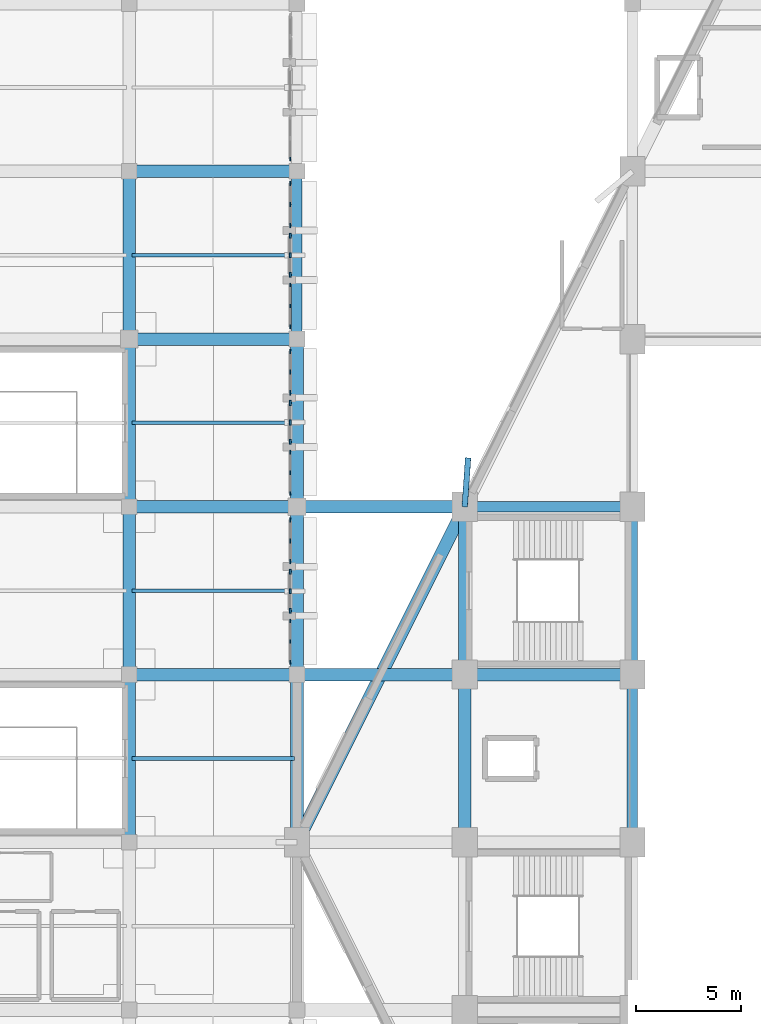
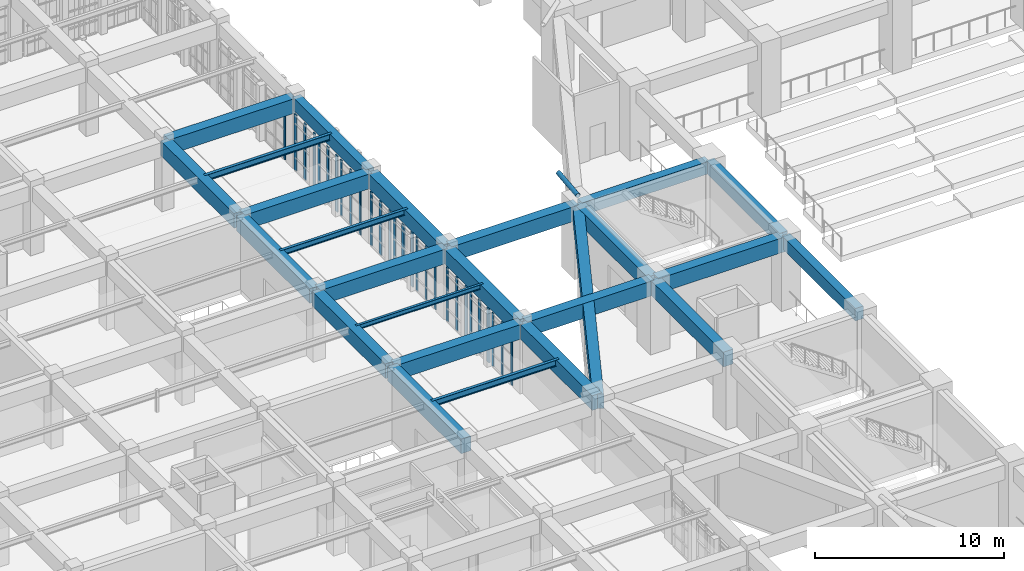
# One storey, part 24 of 155: 29 members, 25 beams, 10 elements without a shape of their own.
"""IFC4 building model written with IfcOpenShell, lengths in metres."""

from ifc_helpers import new_model, si_unit, direction, frame, origin, origin_2d, place, context, subcontext, project, spatial, rectangle, hollow_circle, i_section, extrude, material, layer, layer_set, material_profile, profile_set, type_object, element, aggregate, save


model = new_model("IFC4")

# Units and contexts
model_context = context("Model", 3, precision=1e-05, world=origin(), true_north=direction((0.0, 1.0)))
body_context = subcontext(model_context, "Body", "Model", "MODEL_VIEW")
ifc_project = project(units=[si_unit("LENGTHUNIT", "METRE"), si_unit("AREAUNIT", "SQUARE_METRE"), si_unit("VOLUMEUNIT", "CUBIC_METRE"), si_unit("PLANEANGLEUNIT", "RADIAN"), si_unit("MASSUNIT", "GRAM", prefix="KILO")], contexts=[model_context])

# Site, building, storey
site_placement = place(None, origin())
site = spatial("IfcSite", under=ifc_project, at=site_placement, CompositionType="ELEMENT")
building_placement = place(site_placement, origin())
building = spatial("IfcBuilding", under=site, at=building_placement, Name="Tazarka Park Arena", CompositionType="ELEMENT")
storey_placement = place(building_placement, frame((0.0, 0.0, 5.39990234375)))
storey = spatial("IfcBuildingStorey", under=building, at=storey_placement, Name="L01", CompositionType="ELEMENT", Elevation=5.39990234375)

# Beams
ifc_material_1 = material(Name="Concrete C40/50", Category="concrete")
ifc_material_profile_1 = material_profile(ifc_material_1, rectangle(XDim=0.60009765625, YDim=0.949951171875, at=origin_2d()), Name="Concrete C40/50")
ifc_profile_set_1 = profile_set([ifc_material_profile_1], Name="Concrete C40/50")
beam_type_1 = type_object("IfcBeamType", Name="BM-B-03", PredefinedType="BEAM", material=ifc_profile_set_1)
for number, where, z_axis, x_axis, name in (
    (1, (32.0, 64.1201171875, 3.945068359375), (0.0, 1.0, 0.0), (-1.0, 0.0, 0.0), "GYM-L01-04-08"),
    (2, (32.1201171875, 72.0, 3.945068359375), (1.0, 0.0, 0.0), (0.0, 1.0, 0.0), "GXM-L01-04-09"),
    (3, (32.0, 72.1201171875, 3.945068359375), (0.0, 1.0, 0.0), (-1.0, 0.0, 0.0), "GYM-L01-04-09"),
    (4, (32.1201171875, 80.0, 3.945068359375), (1.0, 0.0, 0.0), (0.0, 1.0, 0.0), "GXM-L01-04-10"),
    (5, (32.0, 80.1201171875, 3.945068359375), (0.0, 1.0, 0.0), (-1.0, 0.0, 0.0), "GYM-L01-04-10"),
    (6, (32.1201171875, 88.0, 3.945068359375), (1.0, 0.0, 0.0), (0.0, 1.0, 0.0), "GXM-L01-04-11"),
    (7, (32.0, 88.1201171875, 3.945068359375), (0.0, 1.0, 0.0), (-1.0, 0.0, 0.0), "GYM-L01-04-11"),
    (8, (32.1201171875, 96.0, 3.945068359375), (1.0, 0.0, 0.0), (0.0, 1.0, 0.0), "GXM-L01-04-12"),
    (9, (40.0, 64.1201171875, 3.945068359375), (0.0, 1.0, 0.0), (-1.0, 0.0, 0.0), "GYM-L01-05-08"),
    (10, (40.1201171875, 72.0, 3.945068359375), (1.0, 0.0, 0.0), (0.0, 1.0, 0.0), "GXM-L01-05-09"),
    (11, (40.0, 72.1201171875, 3.945068359375), (0.0, 1.0, 0.0), (-1.0, 0.0, 0.0), "GYM-L01-05-09"),
    (12, (40.1201171875, 80.0, 3.945068359375), (1.0, 0.0, 0.0), (0.0, 1.0, 0.0), "GXM-L01-05-10"),
    (13, (40.0, 80.1201171875, 3.945068359375), (0.0, 1.0, 0.0), (-1.0, 0.0, 0.0), "GYM-L01-05-10"),
    (14, (48.0, 64.1201171875, 3.945068359375), (0.0, 1.0, 0.0), (-1.0, 0.0, 0.0), "GYM-L01-06-08"),
    (15, (48.1201171875, 72.0, 3.945068359375), (1.0, 0.0, 0.0), (0.0, 1.0, 0.0), "GXM-L01-06-09"),
    (16, (48.0, 72.1201171875, 3.945068359375), (0.0, 1.0, 0.0), (-1.0, 0.0, 0.0), "GYM-L01-06-09"),
):
    element("IfcBeam", number, at=place(storey_placement, frame(where, z_axis=z_axis, x_axis=x_axis)), inside=storey, type_object=beam_type_1, Name=name, PredefinedType="BEAM", context=body_context, shape_type="SweptSolid", body=[
        extrude(rectangle(XDim=0.60009765625, YDim=0.949951171875, at=origin_2d()), origin(), (0.0, 0.0, 1.0), 7.759765625),
    ])
ifc_material_2 = material(Name="Steel S355", Category="steel")
ifc_material_profile_2 = material_profile(ifc_material_2, i_section(OverallWidth=0.14990234375, OverallDepth=0.300048828125, WebThickness=0.007080078125, FlangeThickness=0.0107421875, FilletRadius=0.014892578125, at=origin_2d()), Name="Steel S355")
ifc_profile_set_2 = profile_set([ifc_material_profile_2], Name="Steel S355")
beam_type_2 = type_object("IfcBeamType", Name="BM-J-01", PredefinedType="JOIST", material=ifc_profile_set_2)
beam_1_placement = place(storey_placement, frame((32.1201171875, 76.0, 4.27001953125), z_axis=(1.0, 0.0, 0.0), x_axis=(0.0, 1.0, 0.0)))
element("IfcBeam", 17, at=beam_1_placement, inside=storey, type_object=beam_type_2, Name="JST-L01-04-09", PredefinedType="JOIST", context=body_context, shape_type="SweptSolid", body=[
    extrude(i_section(OverallWidth=0.14990234375, OverallDepth=0.300048828125, WebThickness=0.007080078125, FlangeThickness=0.0107421875, FilletRadius=0.014892578125, at=origin_2d()), origin(), (0.0, 0.0, 1.0), 7.759765625),
])
ifc_material_3 = material(Name="Steel S355", Category="steel")
ifc_material_profile_3 = material_profile(ifc_material_3, i_section(OverallWidth=0.169921875, OverallDepth=0.360107421875, WebThickness=0.008056640625, FlangeThickness=0.0126953125, FilletRadius=0.01806640625, at=origin_2d()), Name="Steel S355")
ifc_profile_set_3 = profile_set([ifc_material_profile_3], Name="Steel S355")
beam_type_3 = type_object("IfcBeamType", Name="BM-J-02", PredefinedType="JOIST", material=ifc_profile_set_3)
beam_2_placement = place(storey_placement, frame((32.1201171875, 84.0, 4.239990234375), z_axis=(1.0, 0.0, 0.0), x_axis=(0.0, 1.0, 0.0)))
element("IfcBeam", 18, at=beam_2_placement, inside=storey, type_object=beam_type_3, Name="JST-L01-04-10", PredefinedType="JOIST", context=body_context, shape_type="SweptSolid", body=[
    extrude(i_section(OverallWidth=0.169921875, OverallDepth=0.360107421875, WebThickness=0.008056640625, FlangeThickness=0.0126953125, FilletRadius=0.01806640625, at=origin_2d()), origin(), (0.0, 0.0, 1.0), 7.759765625),
])
ifc_material_4 = material(Name="Steel S355", Category="steel")
ifc_material_profile_4 = material_profile(ifc_material_4, i_section(OverallWidth=0.179931640625, OverallDepth=0.39990234375, WebThickness=0.008544921875, FlangeThickness=0.013427734375, FilletRadius=0.02099609375, at=origin_2d()), Name="Steel S355")
ifc_profile_set_4 = profile_set([ifc_material_profile_4], Name="Steel S355")
beam_type_4 = type_object("IfcBeamType", Name="BM-J-03", PredefinedType="JOIST", material=ifc_profile_set_4)
for number, where, z_axis, x_axis, name in (
    (19, (32.1201171875, 68.0, 4.22021484375), (1.0, 0.0, 0.0), (0.0, 1.0, 0.0), "JST-L01-04-08"),
    (20, (32.1201171875, 92.0, 4.22021484375), (1.0, 0.0, 0.0), (0.0, 1.0, 0.0), "JST-L01-04-11"),
):
    element("IfcBeam", number, at=place(storey_placement, frame(where, z_axis=z_axis, x_axis=x_axis)), inside=storey, type_object=beam_type_4, Name=name, PredefinedType="JOIST", context=body_context, shape_type="SweptSolid", body=[
        extrude(i_section(OverallWidth=0.179931640625, OverallDepth=0.39990234375, WebThickness=0.008544921875, FlangeThickness=0.013427734375, FilletRadius=0.02099609375, at=origin_2d()), origin(), (0.0, 0.0, 1.0), 7.759765625),
    ])
ifc_material_5 = material(Name="Concrete C40/50", Category="concrete")
ifc_material_profile_5 = material_profile(ifc_material_5, rectangle(XDim=0.5, YDim=0.800048828125, at=origin_2d()), Name="Concrete C40/50")
ifc_profile_set_5 = profile_set([ifc_material_profile_5], Name="Concrete C40/50")
beam_type_5 = type_object("IfcBeamType", Name="BM-SP-01", PredefinedType="SPANDREL", material=ifc_profile_set_5)
for number, where, z_axis, x_axis, name in (
    (21, (40.0, 88.1201171875, 4.02001953125), (0.0, 1.0, 0.0), (-1.0, 0.0, 0.0), "GYM-L01-05-11"),
    (22, (48.1201171875, 80.0, 4.02001953125), (1.0, 0.0, 0.0), (0.0, 1.0, 0.0), "GXM-L01-06-10"),
    (23, (56.0, 64.1201171875, 4.02001953125), (0.0, 1.0, 0.0), (-1.0, 0.0, 0.0), "GYM-L01-07-08"),
    (24, (56.0, 72.1201171875, 4.02001953125), (0.0, 1.0, 0.0), (-1.0, 0.0, 0.0), "GYM-L01-07-09"),
):
    element("IfcBeam", number, at=place(storey_placement, frame(where, z_axis=z_axis, x_axis=x_axis)), inside=storey, type_object=beam_type_5, Name=name, PredefinedType="SPANDREL", context=body_context, shape_type="SweptSolid", body=[
        extrude(rectangle(XDim=0.5, YDim=0.800048828125, at=origin_2d()), origin(), (0.0, 0.0, 1.0), 7.759765625),
    ])
ifc_material_6 = material(Name="Concrete C40/50", Category="concrete")
ifc_material_profile_6 = material_profile(ifc_material_6, rectangle(XDim=0.60009765625, YDim=0.949951171875, at=origin_2d()), Name="Concrete C40/50")
ifc_profile_set_6 = profile_set([ifc_material_profile_6], Name="Concrete C40/50")
beam_type_6 = type_object("IfcBeamType", Name="BM-SP-03", PredefinedType="SPANDREL", material=ifc_profile_set_6)
beam_3_placement = place(storey_placement, frame((47.9462890625, 79.892578125, 3.945068359375), z_axis=(-0.4472135955, -0.894427191, 0.0), x_axis=(0.894427191, -0.4472135955, 0.0)))
element("IfcBeam", 25, at=beam_3_placement, inside=storey, type_object=beam_type_6, Name="RING BEAM SP-03-L01-21", PredefinedType="SPANDREL", context=body_context, shape_type="SweptSolid", body=[
    extrude(rectangle(XDim=0.60009765625, YDim=0.949951171875, at=origin_2d()), origin(), (0.0, 0.0, 1.0), 17.6484375),
])

# Curtain wall, members
ifc_material_7 = material(Name="Aluminium and low-e glass", Category="aluminium")
ifc_layer_1 = layer(ifc_material_7, 0.179931640625, Name="Aluminium and low-e glass")
ifc_layer_set_1 = layer_set([ifc_layer_1], Name="Aluminium and low-e glass")
curtain_wall_type_1 = type_object("IfcCurtainWallType", Name="CW-21", PredefinedType="NOTDEFINED", material=ifc_layer_set_1)
curtain_wall_1_placement = place(storey_placement, origin())
curtain_wall_1 = element("IfcCurtainWall", 26, at=curtain_wall_1_placement, inside=storey, type_object=curtain_wall_type_1, Name="Curtain Wall CWA-L01-111", PredefinedType="NOTDEFINED")
ifc_material_8 = material(Name="Aluminium 6060-T66", Category="aluminium")
ifc_material_profile_7 = material_profile(ifc_material_8, rectangle(XDim=0.06494140625, YDim=0.179931640625, at=origin_2d()), Name="Aluminium 6060-T66")
ifc_profile_set_7 = profile_set([ifc_material_profile_7], Name="Aluminium 6060-T66")
member_type_1 = type_object("IfcMemberType", Name="CWM-01", PredefinedType="MULLION", material=ifc_profile_set_7)
member_1_placement = place(storey_placement, frame((39.679931640625, 74.55908203125, 0.0), z_axis=(0.0, 0.0, 1.0), x_axis=(1.0, 0.0, 0.0)))
member_1 = element("IfcMember", 27, at=member_1_placement, type_object=member_type_1, Name="CW-21 mullion 1", PredefinedType="MULLION", context=body_context, shape_type="SweptSolid", body=[
    extrude(rectangle(XDim=0.06494140625, YDim=0.179931640625, at=origin_2d()), origin(), (0.0, 0.0, 1.0), 3.4501953125),
])
member_2_placement = place(storey_placement, frame((39.679931640625, 73.5732421875, 0.0), z_axis=(0.0, 0.0, 1.0), x_axis=(1.0, 0.0, 0.0)))
member_2 = element("IfcMember", 28, at=member_2_placement, type_object=member_type_1, Name="CW-21 mullion 2", PredefinedType="MULLION", context=body_context, shape_type="SweptSolid", body=[
    extrude(rectangle(XDim=0.06494140625, YDim=0.179931640625, at=origin_2d()), origin(), (0.0, 0.0, 1.0), 3.4501953125),
])
member_3_placement = place(storey_placement, frame((39.679931640625, 72.58740234375, 0.0), z_axis=(0.0, 0.0, 1.0), x_axis=(1.0, 0.0, 0.0)))
member_3 = element("IfcMember", 29, at=member_3_placement, type_object=member_type_1, Name="CW-21 mullion 3", PredefinedType="MULLION", context=body_context, shape_type="SweptSolid", body=[
    extrude(rectangle(XDim=0.06494140625, YDim=0.179931640625, at=origin_2d()), origin(), (0.0, 0.0, 1.0), 3.4501953125),
])
aggregate(curtain_wall_1, [member_1, member_2, member_3])

ifc_material_9 = material(Name="Aluminium and low-e glass", Category="aluminium")
ifc_layer_2 = layer(ifc_material_9, 0.179931640625, Name="Aluminium and low-e glass")
ifc_layer_set_2 = layer_set([ifc_layer_2], Name="Aluminium and low-e glass")
curtain_wall_type_2 = type_object("IfcCurtainWallType", Name="CW-24", PredefinedType="NOTDEFINED", material=ifc_layer_set_2)
curtain_wall_2_placement = place(storey_placement, origin())
curtain_wall_2 = element("IfcCurtainWall", 30, at=curtain_wall_2_placement, inside=storey, type_object=curtain_wall_type_2, Name="Curtain Wall CWA-L01-114", PredefinedType="NOTDEFINED")
member_4_placement = place(storey_placement, frame((39.679931640625, 82.609130859375, 0.0), z_axis=(0.0, 0.0, 1.0), x_axis=(1.0, 0.0, 0.0)))
member_4 = element("IfcMember", 31, at=member_4_placement, type_object=member_type_1, Name="CW-24 mullion 1", PredefinedType="MULLION", context=body_context, shape_type="SweptSolid", body=[
    extrude(rectangle(XDim=0.06494140625, YDim=0.179931640625, at=origin_2d()), origin(), (0.0, 0.0, 1.0), 3.4501953125),
])
member_5_placement = place(storey_placement, frame((39.679931640625, 81.623291015625, 0.0), z_axis=(0.0, 0.0, 1.0), x_axis=(1.0, 0.0, 0.0)))
member_5 = element("IfcMember", 32, at=member_5_placement, type_object=member_type_1, Name="CW-24 mullion 2", PredefinedType="MULLION", context=body_context, shape_type="SweptSolid", body=[
    extrude(rectangle(XDim=0.06494140625, YDim=0.179931640625, at=origin_2d()), origin(), (0.0, 0.0, 1.0), 3.4501953125),
])
member_6_placement = place(storey_placement, frame((39.679931640625, 80.637451171875, 0.0), z_axis=(0.0, 0.0, 1.0), x_axis=(1.0, 0.0, 0.0)))
member_6 = element("IfcMember", 33, at=member_6_placement, type_object=member_type_1, Name="CW-24 mullion 3", PredefinedType="MULLION", context=body_context, shape_type="SweptSolid", body=[
    extrude(rectangle(XDim=0.06494140625, YDim=0.179931640625, at=origin_2d()), origin(), (0.0, 0.0, 1.0), 3.4501953125),
])
aggregate(curtain_wall_2, [member_4, member_5, member_6])

ifc_material_10 = material(Name="Aluminium and low-e glass", Category="aluminium")
ifc_layer_3 = layer(ifc_material_10, 0.179931640625, Name="Aluminium and low-e glass")
ifc_layer_set_3 = layer_set([ifc_layer_3], Name="Aluminium and low-e glass")
curtain_wall_type_3 = type_object("IfcCurtainWallType", Name="CW-27", PredefinedType="NOTDEFINED", material=ifc_layer_set_3)
curtain_wall_3_placement = place(storey_placement, origin())
curtain_wall_3 = element("IfcCurtainWall", 34, at=curtain_wall_3_placement, inside=storey, type_object=curtain_wall_type_3, Name="Curtain Wall CWA-L01-117", PredefinedType="NOTDEFINED")
member_7_placement = place(storey_placement, frame((39.679931640625, 90.57568359375, 0.0), z_axis=(0.0, 0.0, 1.0), x_axis=(1.0, 0.0, 0.0)))
member_7 = element("IfcMember", 35, at=member_7_placement, type_object=member_type_1, Name="CW-27 mullion 1", PredefinedType="MULLION", context=body_context, shape_type="SweptSolid", body=[
    extrude(rectangle(XDim=0.06494140625, YDim=0.179931640625, at=origin_2d()), origin(), (0.0, 0.0, 1.0), 3.60009765625),
])
member_8_placement = place(storey_placement, frame((39.679931640625, 89.58154296875, 0.0), z_axis=(0.0, 0.0, 1.0), x_axis=(1.0, 0.0, 0.0)))
member_8 = element("IfcMember", 36, at=member_8_placement, type_object=member_type_1, Name="CW-27 mullion 2", PredefinedType="MULLION", context=body_context, shape_type="SweptSolid", body=[
    extrude(rectangle(XDim=0.06494140625, YDim=0.179931640625, at=origin_2d()), origin(), (0.0, 0.0, 1.0), 3.60009765625),
])
member_9_placement = place(storey_placement, frame((39.679931640625, 88.58740234375, 0.0), z_axis=(0.0, 0.0, 1.0), x_axis=(1.0, 0.0, 0.0)))
member_9 = element("IfcMember", 37, at=member_9_placement, type_object=member_type_1, Name="CW-27 mullion 3", PredefinedType="MULLION", context=body_context, shape_type="SweptSolid", body=[
    extrude(rectangle(XDim=0.06494140625, YDim=0.179931640625, at=origin_2d()), origin(), (0.0, 0.0, 1.0), 3.60009765625),
])
aggregate(curtain_wall_3, [member_7, member_8, member_9])

# Curtain wall, member
ifc_material_11 = material(Name="Aluminium and low-e glass", Category="aluminium")
ifc_layer_4 = layer(ifc_material_11, 0.179931640625, Name="Aluminium and low-e glass")
ifc_layer_set_4 = layer_set([ifc_layer_4], Name="Aluminium and low-e glass")
curtain_wall_type_4 = type_object("IfcCurtainWallType", Name="CW-30", PredefinedType="NOTDEFINED", material=ifc_layer_set_4)
curtain_wall_4_placement = place(storey_placement, origin())
curtain_wall_4 = element("IfcCurtainWall", 38, at=curtain_wall_4_placement, inside=storey, type_object=curtain_wall_type_4, Name="Curtain Wall CWA-L01-120", PredefinedType="NOTDEFINED")
member_10_placement = place(storey_placement, frame((39.679931640625, 96.58740234375, 0.0), z_axis=(0.0, 0.0, 1.0), x_axis=(1.0, 0.0, 0.0)))
member_10 = element("IfcMember", 39, at=member_10_placement, type_object=member_type_1, Name="CW-30 mullion 3", PredefinedType="MULLION", context=body_context, shape_type="SweptSolid", body=[
    extrude(rectangle(XDim=0.06494140625, YDim=0.179931640625, at=origin_2d()), origin(), (0.0, 0.0, 1.0), 3.60009765625),
])
aggregate(curtain_wall_4, [member_10])

# Curtain wall, members
ifc_material_12 = material(Name="Aluminium and low-e glass", Category="aluminium")
ifc_layer_5 = layer(ifc_material_12, 0.179931640625, Name="Aluminium and low-e glass")
ifc_layer_set_5 = layer_set([ifc_layer_5], Name="Aluminium and low-e glass")
curtain_wall_type_5 = type_object("IfcCurtainWallType", Name="CW-19", PredefinedType="NOTDEFINED", material=ifc_layer_set_5)
curtain_wall_5_placement = place(storey_placement, origin())
curtain_wall_5 = element("IfcCurtainWall", 40, at=curtain_wall_5_placement, inside=storey, type_object=curtain_wall_type_5, Name="Curtain Wall CWA-L01-109", PredefinedType="NOTDEFINED")
ifc_material_13 = material(Name="Aluminium 6060-T66", Category="aluminium")
ifc_material_profile_8 = material_profile(ifc_material_13, rectangle(XDim=0.06494140625, YDim=0.219970703125, at=origin_2d()), Name="Aluminium 6060-T66")
ifc_profile_set_8 = profile_set([ifc_material_profile_8], Name="Aluminium 6060-T66")
member_type_2 = type_object("IfcMemberType", Name="CWM-02", PredefinedType="MULLION", material=ifc_profile_set_8)
member_11_placement = place(storey_placement, frame((39.679931640625, 79.362548828125, 0.0), z_axis=(0.0, 0.0, 1.0), x_axis=(1.0, 0.0, 0.0)))
member_11 = element("IfcMember", 41, at=member_11_placement, type_object=member_type_2, Name="CW-19 mullion 1", PredefinedType="MULLION", context=body_context, shape_type="SweptSolid", body=[
    extrude(rectangle(XDim=0.06494140625, YDim=0.219970703125, at=origin_2d()), origin(), (0.0, 0.0, 1.0), 3.4501953125),
])
member_12_placement = place(storey_placement, frame((39.679931640625, 78.376708984375, 0.0), z_axis=(0.0, 0.0, 1.0), x_axis=(1.0, 0.0, 0.0)))
member_12 = element("IfcMember", 42, at=member_12_placement, type_object=member_type_2, Name="CW-19 mullion 2", PredefinedType="MULLION", context=body_context, shape_type="SweptSolid", body=[
    extrude(rectangle(XDim=0.06494140625, YDim=0.219970703125, at=origin_2d()), origin(), (0.0, 0.0, 1.0), 3.4501953125),
])
member_13_placement = place(storey_placement, frame((39.679931640625, 77.390869140625, 0.0), z_axis=(0.0, 0.0, 1.0), x_axis=(1.0, 0.0, 0.0)))
member_13 = element("IfcMember", 43, at=member_13_placement, type_object=member_type_2, Name="CW-19 mullion 3", PredefinedType="MULLION", context=body_context, shape_type="SweptSolid", body=[
    extrude(rectangle(XDim=0.06494140625, YDim=0.219970703125, at=origin_2d()), origin(), (0.0, 0.0, 1.0), 3.4501953125),
])
aggregate(curtain_wall_5, [member_11, member_12, member_13])

ifc_material_14 = material(Name="Aluminium and low-e glass", Category="aluminium")
ifc_layer_6 = layer(ifc_material_14, 0.179931640625, Name="Aluminium and low-e glass")
ifc_layer_set_6 = layer_set([ifc_layer_6], Name="Aluminium and low-e glass")
curtain_wall_type_6 = type_object("IfcCurtainWallType", Name="CW-22", PredefinedType="NOTDEFINED", material=ifc_layer_set_6)
curtain_wall_6_placement = place(storey_placement, origin())
curtain_wall_6 = element("IfcCurtainWall", 44, at=curtain_wall_6_placement, inside=storey, type_object=curtain_wall_type_6, Name="Curtain Wall CWA-L01-112", PredefinedType="NOTDEFINED")
member_14_placement = place(storey_placement, frame((39.679931640625, 87.41259765625, 0.0), z_axis=(0.0, 0.0, 1.0), x_axis=(1.0, 0.0, 0.0)))
member_14 = element("IfcMember", 45, at=member_14_placement, type_object=member_type_2, Name="CW-22 mullion 1", PredefinedType="MULLION", context=body_context, shape_type="SweptSolid", body=[
    extrude(rectangle(XDim=0.06494140625, YDim=0.219970703125, at=origin_2d()), origin(), (0.0, 0.0, 1.0), 3.4501953125),
])
member_15_placement = place(storey_placement, frame((39.679931640625, 86.4267578125, 0.0), z_axis=(0.0, 0.0, 1.0), x_axis=(1.0, 0.0, 0.0)))
member_15 = element("IfcMember", 46, at=member_15_placement, type_object=member_type_2, Name="CW-22 mullion 2", PredefinedType="MULLION", context=body_context, shape_type="SweptSolid", body=[
    extrude(rectangle(XDim=0.06494140625, YDim=0.219970703125, at=origin_2d()), origin(), (0.0, 0.0, 1.0), 3.4501953125),
])
member_16_placement = place(storey_placement, frame((39.679931640625, 85.44091796875, 0.0), z_axis=(0.0, 0.0, 1.0), x_axis=(1.0, 0.0, 0.0)))
member_16 = element("IfcMember", 47, at=member_16_placement, type_object=member_type_2, Name="CW-22 mullion 3", PredefinedType="MULLION", context=body_context, shape_type="SweptSolid", body=[
    extrude(rectangle(XDim=0.06494140625, YDim=0.219970703125, at=origin_2d()), origin(), (0.0, 0.0, 1.0), 3.4501953125),
])
aggregate(curtain_wall_6, [member_14, member_15, member_16])

ifc_material_15 = material(Name="Aluminium and low-e glass", Category="aluminium")
ifc_layer_7 = layer(ifc_material_15, 0.179931640625, Name="Aluminium and low-e glass")
ifc_layer_set_7 = layer_set([ifc_layer_7], Name="Aluminium and low-e glass")
curtain_wall_type_7 = type_object("IfcCurtainWallType", Name="CW-25", PredefinedType="NOTDEFINED", material=ifc_layer_set_7)
curtain_wall_7_placement = place(storey_placement, origin())
curtain_wall_7 = element("IfcCurtainWall", 48, at=curtain_wall_7_placement, inside=storey, type_object=curtain_wall_type_7, Name="Curtain Wall CWA-L01-115", PredefinedType="NOTDEFINED")
member_17_placement = place(storey_placement, frame((39.679931640625, 95.41259765625, 0.0), z_axis=(0.0, 0.0, 1.0), x_axis=(1.0, 0.0, 0.0)))
member_17 = element("IfcMember", 49, at=member_17_placement, type_object=member_type_2, Name="CW-25 mullion 1", PredefinedType="MULLION", context=body_context, shape_type="SweptSolid", body=[
    extrude(rectangle(XDim=0.06494140625, YDim=0.219970703125, at=origin_2d()), origin(), (0.0, 0.0, 1.0), 3.60009765625),
])
member_18_placement = place(storey_placement, frame((39.679931640625, 94.41845703125, 0.0), z_axis=(0.0, 0.0, 1.0), x_axis=(1.0, 0.0, 0.0)))
member_18 = element("IfcMember", 50, at=member_18_placement, type_object=member_type_2, Name="CW-25 mullion 2", PredefinedType="MULLION", context=body_context, shape_type="SweptSolid", body=[
    extrude(rectangle(XDim=0.06494140625, YDim=0.219970703125, at=origin_2d()), origin(), (0.0, 0.0, 1.0), 3.60009765625),
])
member_19_placement = place(storey_placement, frame((39.679931640625, 93.42431640625, 0.0), z_axis=(0.0, 0.0, 1.0), x_axis=(1.0, 0.0, 0.0)))
member_19 = element("IfcMember", 51, at=member_19_placement, type_object=member_type_2, Name="CW-25 mullion 3", PredefinedType="MULLION", context=body_context, shape_type="SweptSolid", body=[
    extrude(rectangle(XDim=0.06494140625, YDim=0.219970703125, at=origin_2d()), origin(), (0.0, 0.0, 1.0), 3.60009765625),
])
aggregate(curtain_wall_7, [member_17, member_18, member_19])

ifc_material_16 = material(Name="Aluminium and low-e glass", Category="aluminium")
ifc_layer_8 = layer(ifc_material_16, 0.179931640625, Name="Aluminium and low-e glass")
ifc_layer_set_8 = layer_set([ifc_layer_8], Name="Aluminium and low-e glass")
curtain_wall_type_8 = type_object("IfcCurtainWallType", Name="CW-20", PredefinedType="NOTDEFINED", material=ifc_layer_set_8)
curtain_wall_8_placement = place(storey_placement, origin())
curtain_wall_8 = element("IfcCurtainWall", 52, at=curtain_wall_8_placement, inside=storey, type_object=curtain_wall_type_8, Name="Curtain Wall CWA-L01-110", PredefinedType="NOTDEFINED")
ifc_material_17 = material(Name="Aluminium 6060-T66", Category="aluminium")
ifc_material_profile_9 = material_profile(ifc_material_17, rectangle(XDim=0.074951171875, YDim=0.25, at=origin_2d()), Name="Aluminium 6060-T66")
ifc_profile_set_9 = profile_set([ifc_material_profile_9], Name="Aluminium 6060-T66")
member_type_3 = type_object("IfcMemberType", Name="CWM-03", PredefinedType="MULLION", material=ifc_profile_set_9)
member_20_placement = place(storey_placement, frame((39.679931640625, 76.90087890625, 0.0), z_axis=(0.0, 0.0, 1.0), x_axis=(1.0, 0.0, 0.0)))
member_20 = element("IfcMember", 53, at=member_20_placement, type_object=member_type_3, Name="CW-20 mullion 1", PredefinedType="MULLION", context=body_context, shape_type="SweptSolid", body=[
    extrude(rectangle(XDim=0.074951171875, YDim=0.25, at=origin_2d()), origin(), (0.0, 0.0, 1.0), 3.4501953125),
])
member_21_placement = place(storey_placement, frame((39.679931640625, 75.97509765625, 0.0), z_axis=(0.0, 0.0, 1.0), x_axis=(1.0, 0.0, 0.0)))
member_21 = element("IfcMember", 54, at=member_21_placement, type_object=member_type_3, Name="CW-20 mullion 2", PredefinedType="MULLION", context=body_context, shape_type="SweptSolid", body=[
    extrude(rectangle(XDim=0.074951171875, YDim=0.25, at=origin_2d()), origin(), (0.0, 0.0, 1.0), 3.4501953125),
])
member_22_placement = place(storey_placement, frame((39.679931640625, 75.04931640625, 0.0), z_axis=(0.0, 0.0, 1.0), x_axis=(1.0, 0.0, 0.0)))
member_22 = element("IfcMember", 55, at=member_22_placement, type_object=member_type_3, Name="CW-20 mullion 3", PredefinedType="MULLION", context=body_context, shape_type="SweptSolid", body=[
    extrude(rectangle(XDim=0.074951171875, YDim=0.25, at=origin_2d()), origin(), (0.0, 0.0, 1.0), 3.4501953125),
])
aggregate(curtain_wall_8, [member_20, member_21, member_22])

ifc_material_18 = material(Name="Aluminium and low-e glass", Category="aluminium")
ifc_layer_9 = layer(ifc_material_18, 0.179931640625, Name="Aluminium and low-e glass")
ifc_layer_set_9 = layer_set([ifc_layer_9], Name="Aluminium and low-e glass")
curtain_wall_type_9 = type_object("IfcCurtainWallType", Name="CW-23", PredefinedType="NOTDEFINED", material=ifc_layer_set_9)
curtain_wall_9_placement = place(storey_placement, origin())
curtain_wall_9 = element("IfcCurtainWall", 56, at=curtain_wall_9_placement, inside=storey, type_object=curtain_wall_type_9, Name="Curtain Wall CWA-L01-113", PredefinedType="NOTDEFINED")
member_23_placement = place(storey_placement, frame((39.679931640625, 84.95068359375, 0.0), z_axis=(0.0, 0.0, 1.0), x_axis=(1.0, 0.0, 0.0)))
member_23 = element("IfcMember", 57, at=member_23_placement, type_object=member_type_3, Name="CW-23 mullion 1", PredefinedType="MULLION", context=body_context, shape_type="SweptSolid", body=[
    extrude(rectangle(XDim=0.074951171875, YDim=0.25, at=origin_2d()), origin(), (0.0, 0.0, 1.0), 3.4501953125),
])
member_24_placement = place(storey_placement, frame((39.679931640625, 84.02490234375, 0.0), z_axis=(0.0, 0.0, 1.0), x_axis=(1.0, 0.0, 0.0)))
member_24 = element("IfcMember", 58, at=member_24_placement, type_object=member_type_3, Name="CW-23 mullion 2", PredefinedType="MULLION", context=body_context, shape_type="SweptSolid", body=[
    extrude(rectangle(XDim=0.074951171875, YDim=0.25, at=origin_2d()), origin(), (0.0, 0.0, 1.0), 3.4501953125),
])
member_25_placement = place(storey_placement, frame((39.679931640625, 83.09912109375, 0.0), z_axis=(0.0, 0.0, 1.0), x_axis=(1.0, 0.0, 0.0)))
member_25 = element("IfcMember", 59, at=member_25_placement, type_object=member_type_3, Name="CW-23 mullion 3", PredefinedType="MULLION", context=body_context, shape_type="SweptSolid", body=[
    extrude(rectangle(XDim=0.074951171875, YDim=0.25, at=origin_2d()), origin(), (0.0, 0.0, 1.0), 3.4501953125),
])
aggregate(curtain_wall_9, [member_23, member_24, member_25])

ifc_material_19 = material(Name="Aluminium and low-e glass", Category="aluminium")
ifc_layer_10 = layer(ifc_material_19, 0.179931640625, Name="Aluminium and low-e glass")
ifc_layer_set_10 = layer_set([ifc_layer_10], Name="Aluminium and low-e glass")
curtain_wall_type_10 = type_object("IfcCurtainWallType", Name="CW-26", PredefinedType="NOTDEFINED", material=ifc_layer_set_10)
curtain_wall_10_placement = place(storey_placement, origin())
curtain_wall_10 = element("IfcCurtainWall", 60, at=curtain_wall_10_placement, inside=storey, type_object=curtain_wall_type_10, Name="Curtain Wall CWA-L01-116", PredefinedType="NOTDEFINED")
member_26_placement = place(storey_placement, frame((39.679931640625, 92.93408203125, 0.0), z_axis=(0.0, 0.0, 1.0), x_axis=(1.0, 0.0, 0.0)))
member_26 = element("IfcMember", 61, at=member_26_placement, type_object=member_type_3, Name="CW-26 mullion 1", PredefinedType="MULLION", context=body_context, shape_type="SweptSolid", body=[
    extrude(rectangle(XDim=0.074951171875, YDim=0.25, at=origin_2d()), origin(), (0.0, 0.0, 1.0), 3.60009765625),
])
member_27_placement = place(storey_placement, frame((39.679931640625, 92.0, 0.0), z_axis=(0.0, 0.0, 1.0), x_axis=(1.0, 0.0, 0.0)))
member_27 = element("IfcMember", 62, at=member_27_placement, type_object=member_type_3, Name="CW-26 mullion 2", PredefinedType="MULLION", context=body_context, shape_type="SweptSolid", body=[
    extrude(rectangle(XDim=0.074951171875, YDim=0.25, at=origin_2d()), origin(), (0.0, 0.0, 1.0), 3.60009765625),
])
member_28_placement = place(storey_placement, frame((39.679931640625, 91.06591796875, 0.0), z_axis=(0.0, 0.0, 1.0), x_axis=(1.0, 0.0, 0.0)))
member_28 = element("IfcMember", 63, at=member_28_placement, type_object=member_type_3, Name="CW-26 mullion 3", PredefinedType="MULLION", context=body_context, shape_type="SweptSolid", body=[
    extrude(rectangle(XDim=0.074951171875, YDim=0.25, at=origin_2d()), origin(), (0.0, 0.0, 1.0), 3.60009765625),
])
aggregate(curtain_wall_10, [member_26, member_27, member_28])

# Member
ifc_material_20 = material(Name="Steel S355", Category="steel")
ifc_material_profile_10 = material_profile(ifc_material_20, hollow_circle(Radius=0.136474609375, WallThickness=0.012451171875, at=origin_2d()), Name="Steel S355")
ifc_profile_set_10 = profile_set([ifc_material_profile_10], Name="Steel S355")
member_type_4 = type_object("IfcMemberType", Name="MEM-SR-01", PredefinedType="STRUT", material=ifc_profile_set_10)
member_29_placement = place(storey_placement, frame((48.0, 80.0, 4.800048828125), z_axis=(0.069395698306, 0.99758921258, 0.0), x_axis=(-0.99758921258, 0.069395698306, 0.0)))
element("IfcMember", 64, at=member_29_placement, inside=storey, type_object=member_type_4, Name="FSB-20", PredefinedType="STRUT", context=body_context, shape_type="SweptSolid", body=[
    extrude(hollow_circle(Radius=0.136474609375, WallThickness=0.012451171875, at=origin_2d()), origin(), (0.0, 0.0, 1.0), 2.343017578125),
])

save(model, "model.ifc")
